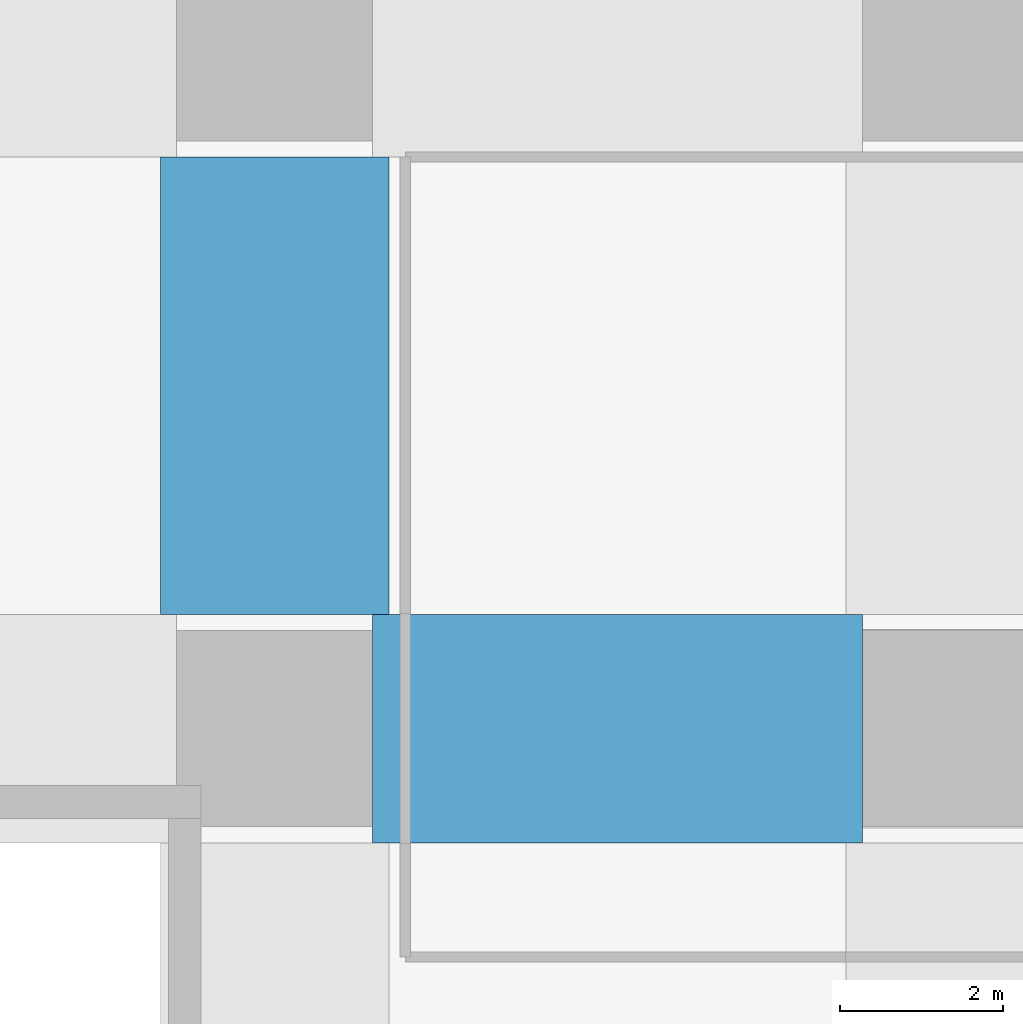
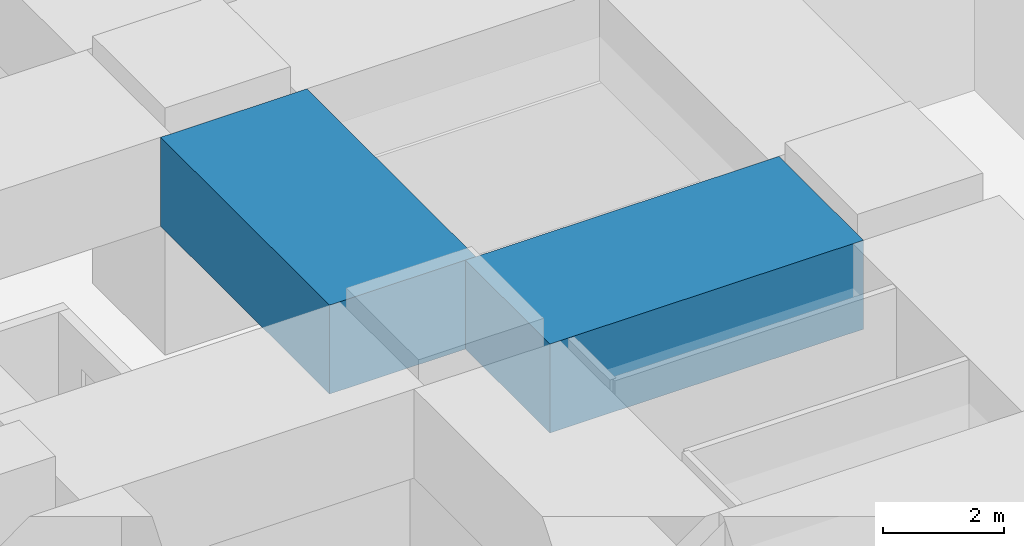
# One storey, part 18 of 52: 2 beams.
"""IFC4 building model written with IfcOpenShell, lengths in metres."""

from ifc_helpers import new_model, si_unit, direction, frame, origin, origin_2d, place, context, subcontext, project, spatial, rectangle, extrude, material, material_profile, profile_set, type_object, element, save


model = new_model("IFC4")

# Units and contexts
model_context = context("Model", 3, precision=1e-05, world=origin(), true_north=direction((0.0, 1.0)))
body_context = subcontext(model_context, "Body", "Model", "MODEL_VIEW")
ifc_project = project(units=[si_unit("LENGTHUNIT", "METRE"), si_unit("AREAUNIT", "SQUARE_METRE"), si_unit("VOLUMEUNIT", "CUBIC_METRE"), si_unit("PLANEANGLEUNIT", "RADIAN"), si_unit("MASSUNIT", "GRAM", prefix="KILO")], contexts=[model_context])

# Site, building, storey
site_placement = place(None, origin())
site = spatial("IfcSite", under=ifc_project, at=site_placement, CompositionType="ELEMENT")
building_placement = place(site_placement, origin())
building = spatial("IfcBuilding", under=site, at=building_placement, Name="Rekha Terrace Tower", CompositionType="ELEMENT")
storey_placement = place(building_placement, frame((0.0, 0.0, 20.39990234375)))
storey = spatial("IfcBuildingStorey", under=building, at=storey_placement, Name="L04", CompositionType="ELEMENT", Elevation=20.39990234375)

# Beams
ifc_material = material(Name="Concrete M70", Category="concrete")
ifc_material_profile = material_profile(ifc_material, rectangle(XDim=2.800048828125, YDim=1.800048828125, at=origin_2d()), Name="RC 2800x1800")
ifc_profile_set = profile_set([ifc_material_profile], Name="Concrete M70")
beam_type = type_object("IfcBeamType", Name="G2 2800x1800 podium roof band beam", PredefinedType="BEAM", material=ifc_profile_set)
beam_1_placement = place(storey_placement, frame((9.60009765625, 33.60009765625, 3.7001953125), z_axis=(1.0, 0.0, 0.0), x_axis=(0.0, 1.0, 0.0)))
element("IfcBeam", 1, at=beam_1_placement, inside=storey, type_object=beam_type, Name="Beam G2 2E-3E under L05", PredefinedType="BEAM", context=body_context, shape_type="SweptSolid", body=[
    extrude(rectangle(XDim=2.800048828125, YDim=1.800048828125, at=origin_2d()), origin(), (0.0, 0.0, 1.0), 6.0),
])
beam_2_placement = place(storey_placement, frame((8.39990234375, 35.0, 3.7001953125), z_axis=(0.0, 1.0, 0.0), x_axis=(-1.0, 0.0, 0.0)))
element("IfcBeam", 2, at=beam_2_placement, inside=storey, type_object=beam_type, Name="Beam G2 2E-2F under L05", PredefinedType="BEAM", context=body_context, shape_type="SweptSolid", body=[
    extrude(rectangle(XDim=2.800048828125, YDim=1.800048828125, at=origin_2d()), origin(), (0.0, 0.0, 1.0), 5.60009765625),
])

save(model, "model.ifc")
